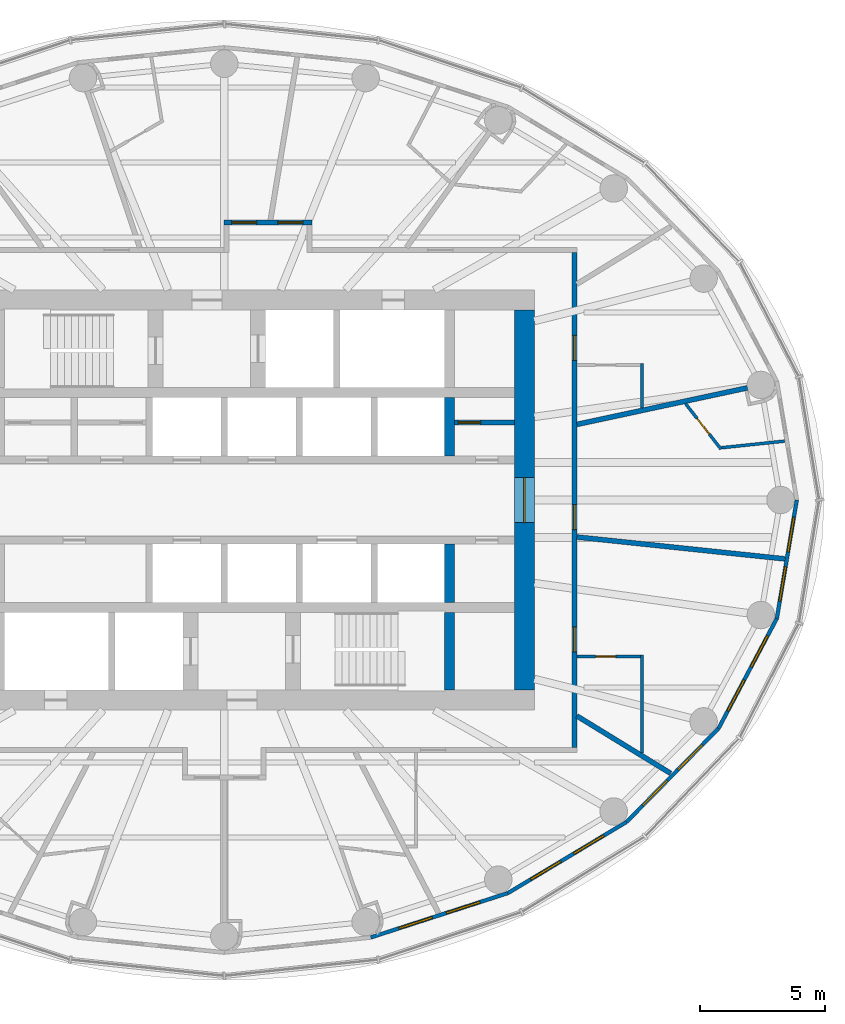
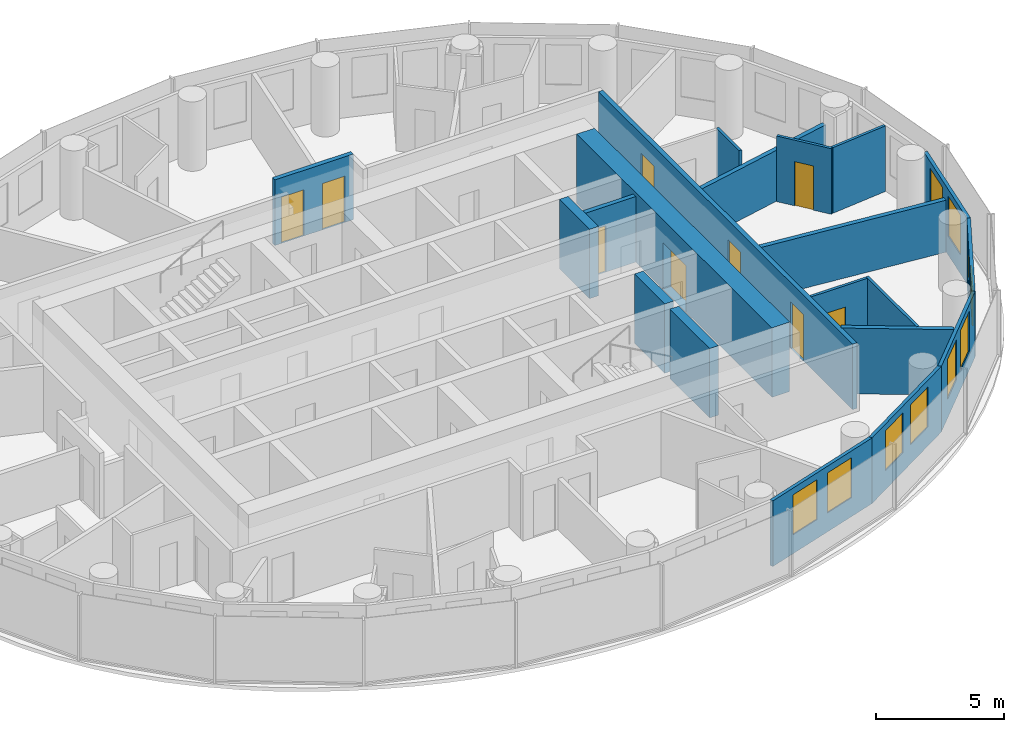
# One storey, part 10 of 13: 20 walls, 10 windows, 9 doors, 19 openings.
"""IFC4 building model written with IfcOpenShell, lengths in metres."""

from ifc_helpers import new_model, si_unit, direction, frame, frame_2d, origin, place, context, subcontext, project, spatial, rectangle, extrude, material, layer, layer_set, type_object, element, fill, save


model = new_model("IFC4")

# Units and contexts
model_context = context("Model", 3, precision=1e-05, world=origin(), true_north=direction((0.0, 1.0)))
body_context = subcontext(model_context, "Body", "Model", "MODEL_VIEW")
ifc_project = project(units=[si_unit("LENGTHUNIT", "METRE"), si_unit("AREAUNIT", "SQUARE_METRE"), si_unit("VOLUMEUNIT", "CUBIC_METRE"), si_unit("PLANEANGLEUNIT", "RADIAN"), si_unit("MASSUNIT", "GRAM", prefix="KILO")], contexts=[model_context])

# Site, building, storey
site_placement = place(None, origin())
site = spatial("IfcSite", under=ifc_project, at=site_placement, CompositionType="ELEMENT")
building_placement = place(site_placement, origin())
building = spatial("IfcBuilding", under=site, at=building_placement, Name="Hankou Lantern Tower", CompositionType="ELEMENT")
storey_placement = place(building_placement, frame((0.0, 0.0, 159.89990234375)))
storey = spatial("IfcBuildingStorey", under=building, at=storey_placement, Name="L42", CompositionType="ELEMENT", Elevation=159.89990234375)

# Wall, opening, door
ifc_material_1 = material(Name="Concrete C60", Category="concrete")
ifc_layer_1 = layer(ifc_material_1, 0.800048828125)
ifc_layer_set_1 = layer_set([ifc_layer_1], Name="Concrete C60")
wall_type_1 = type_object("IfcWallType", Name="CW2 CORE WALL 800", PredefinedType="SHEAR", material=ifc_layer_set_1)
wall_1_placement = place(storey_placement, frame((12.0, -7.60009765625, 0.0), z_axis=(0.0, 0.0, 1.0), x_axis=(0.0, 1.0, 0.0)))
wall_1 = element("IfcWall", 1, at=wall_1_placement, inside=storey, type_object=wall_type_1, Name="Core wall east L42", PredefinedType="SHEAR", context=body_context, shape_type="SweptSolid", body=[
    extrude(rectangle(XDim=15.2001953125, YDim=0.800048828125, at=frame_2d((7.60009765625, 0.0))), origin(), (0.0, 0.0, 1.0), 3.300048828125),
])
opening_1_placement = place(wall_1_placement, frame((6.699951171875, 0.0, 0.0)))
opening_1 = element("IfcOpeningElement", 2, at=opening_1_placement, cuts=wall_1, Name="Opening D6", PredefinedType="OPENING", context=body_context, shape_type="SweptSolid", body=[
    extrude(rectangle(XDim=1.800048828125, YDim=2.199951171875, at=frame_2d((0.89990234375, 1.10009765625))), frame((0.0, 0.409912109375, 0.0), z_axis=(0.0, -1.0, 0.0), x_axis=(1.0, 0.0, 0.0)), (0.0, 0.0, 1.0), 0.820068359375),
])
ifc_material_2 = material(Name="Steel door leaf", Category="steel")
door_type_1 = type_object("IfcDoorType", Name="D6 LIFT LOBBY DOOR 1800X2200", OperationType="DOUBLE_DOOR_DOUBLE_SWING", PredefinedType="DOOR", material=ifc_material_2)
door_1_placement = place(opening_1_placement, origin())
door_1 = element("IfcDoor", 3, at=door_1_placement, inside=storey, type_object=door_type_1, Name="Lift lobby east door", OperationType="DOUBLE_DOOR_DOUBLE_SWING", OverallHeight=2.199951171875, OverallWidth=1.800048828125, PredefinedType="DOOR", context=body_context, shape_type="SweptSolid", body=[
    extrude(rectangle(XDim=1.800048828125, YDim=2.199951171875, at=frame_2d((0.89990234375, 1.10009765625))), frame((0.0, 0.02490234375, 0.0), z_axis=(0.0, -1.0, 0.0), x_axis=(1.0, 0.0, 0.0)), (0.0, 0.0, 1.0), 0.050048828125),
])
fill(opening_1, door_1)

# Walls
ifc_material_3 = material(Name="Concrete C60", Category="concrete")
ifc_layer_2 = layer(ifc_material_3, 0.39990234375)
ifc_layer_set_2 = layer_set([ifc_layer_2], Name="Concrete C60")
wall_type_2 = type_object("IfcWallType", Name="CW4 CORE CROSS WALL 400", PredefinedType="SHEAR", material=ifc_layer_set_2)
for number, where, z_axis, x_axis, name in (
    (4, (9.0, 1.75, 0.0), (0.0, 0.0, 1.0), (0.0, 1.0, 0.0), "Core strip wall L42"),
    (5, (9.0, -4.10009765625, 0.0), (0.0, 0.0, 1.0), (0.0, 1.0, 0.0), "Core strip wall L42"),
):
    element("IfcWall", number, at=place(storey_placement, frame(where, z_axis=z_axis, x_axis=x_axis)), inside=storey, type_object=wall_type_2, Name=name, PredefinedType="SHEAR", context=body_context, shape_type="SweptSolid", body=[
        extrude(rectangle(XDim=2.35009765625, YDim=0.39990234375, at=frame_2d((1.175048828125, 0.0))), origin(), (0.0, 0.0, 1.0), 3.300048828125),
    ])
wall_2_placement = place(storey_placement, frame((9.0, -7.60009765625, 0.0), z_axis=(0.0, 0.0, 1.0), x_axis=(0.0, 1.0, 0.0)))
element("IfcWall", 6, at=wall_2_placement, inside=storey, type_object=wall_type_2, Name="Core strip wall L42", PredefinedType="SHEAR", context=body_context, shape_type="SweptSolid", body=[
    extrude(rectangle(XDim=3.10009765625, YDim=0.39990234375, at=frame_2d((1.550048828125, 0.0))), origin(), (0.0, 0.0, 1.0), 3.300048828125),
])

# Wall, openings, windows
ifc_material_4 = material(Name="Aluminium spandrel panel on steel studs", Category="steel")
ifc_layer_3 = layer(ifc_material_4, 0.14990234375)
ifc_layer_set_3 = layer_set([ifc_layer_3], Name="Aluminium spandrel panel on steel studs")
wall_type_3 = type_object("IfcWallType", Name="EW1 INNER SKIN WALL 150", PredefinedType="ELEMENTEDWALL", material=ifc_layer_set_3)
wall_3_placement = place(storey_placement, frame((5.8603515625, -17.497314453125, 0.0), z_axis=(0.0, 0.0, 1.0), x_axis=(0.951432482129, 0.307857486429, 0.0)))
wall_3 = element("IfcWall", 7, at=wall_3_placement, inside=storey, type_object=wall_type_3, Name="Inner skin R20-R21 L42", PredefinedType="ELEMENTEDWALL", context=body_context, shape_type="SweptSolid", body=[
    extrude(rectangle(XDim=5.76611328125, YDim=0.14990234375, at=frame_2d((2.883056640625, 0.0))), origin(), (0.0, 0.0, 1.0), 3.1201171875),
])
opening_2_placement = place(wall_3_placement, frame((1.18310546875, 0.0, 0.89990234375)))
opening_2 = element("IfcOpeningElement", 8, at=opening_2_placement, cuts=wall_3, Name="Opening W3", PredefinedType="OPENING", context=body_context, shape_type="SweptSolid", body=[
    extrude(rectangle(XDim=1.39990234375, YDim=1.89990234375, at=frame_2d((0.699951171875, 0.949951171875))), frame((0.0, 0.0849609375, 0.0), z_axis=(0.0, -1.0, 0.0), x_axis=(1.0, 0.0, 0.0)), (0.0, 0.0, 1.0), 0.169921875),
])
opening_3_placement = place(wall_3_placement, frame((3.18310546875, 0.0, 0.89990234375)))
opening_3 = element("IfcOpeningElement", 9, at=opening_3_placement, cuts=wall_3, Name="Opening W3", PredefinedType="OPENING", context=body_context, shape_type="SweptSolid", body=[
    extrude(rectangle(XDim=1.39990234375, YDim=1.89990234375, at=frame_2d((0.699951171875, 0.949951171875))), frame((0.0, 0.0849609375, 0.0), z_axis=(0.0, -1.0, 0.0), x_axis=(1.0, 0.0, 0.0)), (0.0, 0.0, 1.0), 0.169921875),
])
ifc_material_5 = material(Name="Aluminium framed double glazed window", Category="aluminium")
window_type = type_object("IfcWindowType", Name="W3 GUEST ROOM WINDOW 1400X1900", PartitioningType="DOUBLE_PANEL_VERTICAL", PredefinedType="WINDOW", material=ifc_material_5)
window_1_placement = place(opening_2_placement, origin())
window_1 = element("IfcWindow", 10, at=window_1_placement, inside=storey, type_object=window_type, Name="Window R20.1 L42", OverallHeight=1.89990234375, OverallWidth=1.39990234375, PartitioningType="SINGLE_PANEL", PredefinedType="WINDOW", context=body_context, shape_type="SweptSolid", body=[
    extrude(rectangle(XDim=1.39990234375, YDim=1.89990234375, at=frame_2d((0.699951171875, 0.949951171875))), frame((0.0, 0.030029296875, 0.0), z_axis=(0.0, -1.0, 0.0), x_axis=(1.0, 0.0, 0.0)), (0.0, 0.0, 1.0), 0.06005859375),
])
fill(opening_2, window_1)
window_2_placement = place(opening_3_placement, origin())
window_2 = element("IfcWindow", 11, at=window_2_placement, inside=storey, type_object=window_type, Name="Window R20.2 L42", OverallHeight=1.89990234375, OverallWidth=1.39990234375, PartitioningType="SINGLE_PANEL", PredefinedType="WINDOW", context=body_context, shape_type="SweptSolid", body=[
    extrude(rectangle(XDim=1.39990234375, YDim=1.89990234375, at=frame_2d((0.699951171875, 0.949951171875))), frame((0.0, 0.030029296875, 0.0), z_axis=(0.0, -1.0, 0.0), x_axis=(1.0, 0.0, 0.0)), (0.0, 0.0, 1.0), 0.06005859375),
])
fill(opening_3, window_2)

wall_4_placement = place(storey_placement, frame((11.346435546875, -15.72216796875, 0.0), z_axis=(0.0, 0.0, 1.0), x_axis=(0.857695199231, 0.514158482587, 0.0)))
wall_4 = element("IfcWall", 12, at=wall_4_placement, inside=storey, type_object=wall_type_3, Name="Inner skin R21-R22 L42", PredefinedType="ELEMENTEDWALL", context=body_context, shape_type="SweptSolid", body=[
    extrude(rectangle(XDim=5.5361328125, YDim=0.14990234375, at=frame_2d((2.76806640625, 0.0))), origin(), (0.0, 0.0, 1.0), 3.1201171875),
])
opening_4_placement = place(wall_4_placement, frame((1.068115234375, 0.0, 0.89990234375)))
opening_4 = element("IfcOpeningElement", 13, at=opening_4_placement, cuts=wall_4, Name="Opening W3", PredefinedType="OPENING", context=body_context, shape_type="SweptSolid", body=[
    extrude(rectangle(XDim=1.39990234375, YDim=1.89990234375, at=frame_2d((0.699951171875, 0.949951171875))), frame((0.0, 0.0849609375, 0.0), z_axis=(0.0, -1.0, 0.0), x_axis=(1.0, 0.0, 0.0)), (0.0, 0.0, 1.0), 0.169921875),
])
opening_5_placement = place(wall_4_placement, frame((3.068115234375, 0.0, 0.89990234375)))
opening_5 = element("IfcOpeningElement", 14, at=opening_5_placement, cuts=wall_4, Name="Opening W3", PredefinedType="OPENING", context=body_context, shape_type="SweptSolid", body=[
    extrude(rectangle(XDim=1.39990234375, YDim=1.89990234375, at=frame_2d((0.699951171875, 0.949951171875))), frame((0.0, 0.0849609375, 0.0), z_axis=(0.0, -1.0, 0.0), x_axis=(1.0, 0.0, 0.0)), (0.0, 0.0, 1.0), 0.169921875),
])
window_3_placement = place(opening_4_placement, origin())
window_3 = element("IfcWindow", 15, at=window_3_placement, inside=storey, type_object=window_type, Name="Window R21.1 L42", OverallHeight=1.89990234375, OverallWidth=1.39990234375, PartitioningType="SINGLE_PANEL", PredefinedType="WINDOW", context=body_context, shape_type="SweptSolid", body=[
    extrude(rectangle(XDim=1.39990234375, YDim=1.89990234375, at=frame_2d((0.699951171875, 0.949951171875))), frame((0.0, 0.030029296875, 0.0), z_axis=(0.0, -1.0, 0.0), x_axis=(1.0, 0.0, 0.0)), (0.0, 0.0, 1.0), 0.06005859375),
])
fill(opening_4, window_3)
window_4_placement = place(opening_5_placement, origin())
window_4 = element("IfcWindow", 16, at=window_4_placement, inside=storey, type_object=window_type, Name="Window R21.2 L42", OverallHeight=1.89990234375, OverallWidth=1.39990234375, PartitioningType="SINGLE_PANEL", PredefinedType="WINDOW", context=body_context, shape_type="SweptSolid", body=[
    extrude(rectangle(XDim=1.39990234375, YDim=1.89990234375, at=frame_2d((0.699951171875, 0.949951171875))), frame((0.0, 0.030029296875, 0.0), z_axis=(0.0, -1.0, 0.0), x_axis=(1.0, 0.0, 0.0)), (0.0, 0.0, 1.0), 0.06005859375),
])
fill(opening_5, window_4)

wall_5_placement = place(storey_placement, frame((16.0947265625, -12.875732421875, 0.0), z_axis=(0.0, 0.0, 1.0), x_axis=(0.700727467776, 0.71342905457, 0.0)))
wall_5 = element("IfcWall", 17, at=wall_5_placement, inside=storey, type_object=wall_type_3, Name="Inner skin R22-R23 L42", PredefinedType="ELEMENTEDWALL", context=body_context, shape_type="SweptSolid", body=[
    extrude(rectangle(XDim=5.247314453125, YDim=0.14990234375, at=frame_2d((2.62353515625, 0.0))), origin(), (0.0, 0.0, 1.0), 3.1201171875),
])
opening_6_placement = place(wall_5_placement, frame((0.923583984375, 0.0, 0.89990234375)))
opening_6 = element("IfcOpeningElement", 18, at=opening_6_placement, cuts=wall_5, Name="Opening W3", PredefinedType="OPENING", context=body_context, shape_type="SweptSolid", body=[
    extrude(rectangle(XDim=1.39990234375, YDim=1.89990234375, at=frame_2d((0.699951171875, 0.949951171875))), frame((0.0, 0.0849609375, 0.0), z_axis=(0.0, -1.0, 0.0), x_axis=(1.0, 0.0, 0.0)), (0.0, 0.0, 1.0), 0.169921875),
])
opening_7_placement = place(wall_5_placement, frame((2.923583984375, 0.0, 0.89990234375)))
opening_7 = element("IfcOpeningElement", 19, at=opening_7_placement, cuts=wall_5, Name="Opening W3", PredefinedType="OPENING", context=body_context, shape_type="SweptSolid", body=[
    extrude(rectangle(XDim=1.39990234375, YDim=1.89990234375, at=frame_2d((0.699951171875, 0.949951171875))), frame((0.0, 0.0849609375, 0.0), z_axis=(0.0, -1.0, 0.0), x_axis=(1.0, 0.0, 0.0)), (0.0, 0.0, 1.0), 0.169921875),
])
window_5_placement = place(opening_6_placement, origin())
window_5 = element("IfcWindow", 20, at=window_5_placement, inside=storey, type_object=window_type, Name="Window R22.1 L42", OverallHeight=1.89990234375, OverallWidth=1.39990234375, PartitioningType="SINGLE_PANEL", PredefinedType="WINDOW", context=body_context, shape_type="SweptSolid", body=[
    extrude(rectangle(XDim=1.39990234375, YDim=1.89990234375, at=frame_2d((0.699951171875, 0.949951171875))), frame((0.0, 0.030029296875, 0.0), z_axis=(0.0, -1.0, 0.0), x_axis=(1.0, 0.0, 0.0)), (0.0, 0.0, 1.0), 0.06005859375),
])
fill(opening_6, window_5)
window_6_placement = place(opening_7_placement, origin())
window_6 = element("IfcWindow", 21, at=window_6_placement, inside=storey, type_object=window_type, Name="Window R22.2 L42", OverallHeight=1.89990234375, OverallWidth=1.39990234375, PartitioningType="SINGLE_PANEL", PredefinedType="WINDOW", context=body_context, shape_type="SweptSolid", body=[
    extrude(rectangle(XDim=1.39990234375, YDim=1.89990234375, at=frame_2d((0.699951171875, 0.949951171875))), frame((0.0, 0.030029296875, 0.0), z_axis=(0.0, -1.0, 0.0), x_axis=(1.0, 0.0, 0.0)), (0.0, 0.0, 1.0), 0.06005859375),
])
fill(opening_7, window_6)

wall_6_placement = place(storey_placement, frame((19.771728515625, -9.132080078125, 0.0), z_axis=(0.0, 0.0, 1.0), x_axis=(0.468428906714, 0.883501193748, 0.0)))
wall_6 = element("IfcWall", 22, at=wall_6_placement, inside=storey, type_object=wall_type_3, Name="Inner skin R23-R24 L42", PredefinedType="ELEMENTEDWALL", context=body_context, shape_type="SweptSolid", body=[
    extrude(rectangle(XDim=4.9736328125, YDim=0.14990234375, at=frame_2d((2.48681640625, 0.0))), origin(), (0.0, 0.0, 1.0), 3.1201171875),
])
opening_8_placement = place(wall_6_placement, frame((0.786865234375, 0.0, 0.89990234375)))
opening_8 = element("IfcOpeningElement", 23, at=opening_8_placement, cuts=wall_6, Name="Opening W3", PredefinedType="OPENING", context=body_context, shape_type="SweptSolid", body=[
    extrude(rectangle(XDim=1.39990234375, YDim=1.89990234375, at=frame_2d((0.699951171875, 0.949951171875))), frame((0.0, 0.0849609375, 0.0), z_axis=(0.0, -1.0, 0.0), x_axis=(1.0, 0.0, 0.0)), (0.0, 0.0, 1.0), 0.169921875),
])
opening_9_placement = place(wall_6_placement, frame((2.786865234375, 0.0, 0.89990234375)))
opening_9 = element("IfcOpeningElement", 24, at=opening_9_placement, cuts=wall_6, Name="Opening W3", PredefinedType="OPENING", context=body_context, shape_type="SweptSolid", body=[
    extrude(rectangle(XDim=1.39990234375, YDim=1.89990234375, at=frame_2d((0.699951171875, 0.949951171875))), frame((0.0, 0.0849609375, 0.0), z_axis=(0.0, -1.0, 0.0), x_axis=(1.0, 0.0, 0.0)), (0.0, 0.0, 1.0), 0.169921875),
])
window_7_placement = place(opening_8_placement, origin())
window_7 = element("IfcWindow", 25, at=window_7_placement, inside=storey, type_object=window_type, Name="Window R23.1 L42", OverallHeight=1.89990234375, OverallWidth=1.39990234375, PartitioningType="SINGLE_PANEL", PredefinedType="WINDOW", context=body_context, shape_type="SweptSolid", body=[
    extrude(rectangle(XDim=1.39990234375, YDim=1.89990234375, at=frame_2d((0.699951171875, 0.949951171875))), frame((0.0, 0.030029296875, 0.0), z_axis=(0.0, -1.0, 0.0), x_axis=(1.0, 0.0, 0.0)), (0.0, 0.0, 1.0), 0.06005859375),
])
fill(opening_8, window_7)
window_8_placement = place(opening_9_placement, origin())
window_8 = element("IfcWindow", 26, at=window_8_placement, inside=storey, type_object=window_type, Name="Window R23.2 L42", OverallHeight=1.89990234375, OverallWidth=1.39990234375, PartitioningType="SINGLE_PANEL", PredefinedType="WINDOW", context=body_context, shape_type="SweptSolid", body=[
    extrude(rectangle(XDim=1.39990234375, YDim=1.89990234375, at=frame_2d((0.699951171875, 0.949951171875))), frame((0.0, 0.030029296875, 0.0), z_axis=(0.0, -1.0, 0.0), x_axis=(1.0, 0.0, 0.0)), (0.0, 0.0, 1.0), 0.06005859375),
])
fill(opening_9, window_8)

wall_7_placement = place(storey_placement, frame((22.1015625, -4.73779296875, 0.0), z_axis=(0.0, 0.0, 1.0), x_axis=(0.166162111254, 0.986098449843, 0.0)))
wall_7 = element("IfcWall", 27, at=wall_7_placement, inside=storey, type_object=wall_type_3, Name="Inner skin R24-R01 L42", PredefinedType="ELEMENTEDWALL", context=body_context, shape_type="SweptSolid", body=[
    extrude(rectangle(XDim=4.8046875, YDim=0.14990234375, at=frame_2d((2.40234375, 0.0))), origin(), (0.0, 0.0, 1.0), 3.1201171875),
])
opening_10_placement = place(wall_7_placement, frame((0.7021484375, 0.0, 0.89990234375)))
opening_10 = element("IfcOpeningElement", 28, at=opening_10_placement, cuts=wall_7, Name="Opening W3", PredefinedType="OPENING", context=body_context, shape_type="SweptSolid", body=[
    extrude(rectangle(XDim=1.39990234375, YDim=1.89990234375, at=frame_2d((0.699951171875, 0.949951171875))), frame((0.0, 0.0849609375, 0.0), z_axis=(0.0, -1.0, 0.0), x_axis=(1.0, 0.0, 0.0)), (0.0, 0.0, 1.0), 0.169921875),
])
opening_11_placement = place(wall_7_placement, frame((2.7021484375, 0.0, 0.89990234375)))
opening_11 = element("IfcOpeningElement", 29, at=opening_11_placement, cuts=wall_7, Name="Opening W3", PredefinedType="OPENING", context=body_context, shape_type="SweptSolid", body=[
    extrude(rectangle(XDim=1.39990234375, YDim=1.89990234375, at=frame_2d((0.699951171875, 0.949951171875))), frame((0.0, 0.0849609375, 0.0), z_axis=(0.0, -1.0, 0.0), x_axis=(1.0, 0.0, 0.0)), (0.0, 0.0, 1.0), 0.169921875),
])
window_9_placement = place(opening_10_placement, origin())
window_9 = element("IfcWindow", 30, at=window_9_placement, inside=storey, type_object=window_type, Name="Window R24.1 L42", OverallHeight=1.89990234375, OverallWidth=1.39990234375, PartitioningType="SINGLE_PANEL", PredefinedType="WINDOW", context=body_context, shape_type="SweptSolid", body=[
    extrude(rectangle(XDim=1.39990234375, YDim=1.89990234375, at=frame_2d((0.699951171875, 0.949951171875))), frame((0.0, 0.030029296875, 0.0), z_axis=(0.0, -1.0, 0.0), x_axis=(1.0, 0.0, 0.0)), (0.0, 0.0, 1.0), 0.06005859375),
])
fill(opening_10, window_9)
window_10_placement = place(opening_11_placement, origin())
window_10 = element("IfcWindow", 31, at=window_10_placement, inside=storey, type_object=window_type, Name="Window R24.2 L42", OverallHeight=1.89990234375, OverallWidth=1.39990234375, PartitioningType="SINGLE_PANEL", PredefinedType="WINDOW", context=body_context, shape_type="SweptSolid", body=[
    extrude(rectangle(XDim=1.39990234375, YDim=1.89990234375, at=frame_2d((0.699951171875, 0.949951171875))), frame((0.0, 0.030029296875, 0.0), z_axis=(0.0, -1.0, 0.0), x_axis=(1.0, 0.0, 0.0)), (0.0, 0.0, 1.0), 0.06005859375),
])
fill(opening_11, window_10)

# Walls
ifc_material_6 = material(Name="Masonry lightweight concrete block", Category="masonry")
ifc_layer_4 = layer(ifc_material_6, 0.199951171875)
ifc_layer_set_4 = layer_set([ifc_layer_4], Name="Masonry lightweight concrete block")
wall_type_4 = type_object("IfcWallType", Name="IW1 GUEST ROOM PARTY WALL 200", PredefinedType="PARTITIONING", material=ifc_layer_set_4)
wall_8_placement = place(storey_placement, frame((14.10009765625, 3.0224609375, 0.0), z_axis=(0.0, 0.0, 1.0), x_axis=(0.977790639684, 0.209584028367, 0.0)))
element("IfcWall", 32, at=wall_8_placement, inside=storey, type_object=wall_type_4, Name="Party wall R02", PredefinedType="PARTITIONING", context=body_context, shape_type="SweptSolid", body=[
    extrude(rectangle(XDim=6.97998046875, YDim=0.199951171875, at=frame_2d((3.489990234375, 0.0))), origin(), (0.0, 0.0, 1.0), 2.420166015625),
])
wall_9_placement = place(storey_placement, frame((14.10009765625, -8.63623046875, 0.0), z_axis=(0.0, 0.0, 1.0), x_axis=(0.852731884196, -0.522348862041, 0.0)))
element("IfcWall", 33, at=wall_9_placement, inside=storey, type_object=wall_type_4, Name="Party wall R22-R23", PredefinedType="PARTITIONING", context=body_context, shape_type="SweptSolid", body=[
    extrude(rectangle(XDim=4.404296875, YDim=0.199951171875, at=frame_2d((2.2021484375, 0.0))), origin(), (0.0, 0.0, 1.0), 3.1201171875),
])
wall_10_placement = place(storey_placement, frame((14.10009765625, -1.4814453125, 0.0), z_axis=(0.0, 0.0, 1.0), x_axis=(0.994524794819, -0.104500873159, 0.0)))
element("IfcWall", 34, at=wall_10_placement, inside=storey, type_object=wall_type_4, Name="Party wall R24-R01", PredefinedType="PARTITIONING", context=body_context, shape_type="SweptSolid", body=[
    extrude(rectangle(XDim=8.361572265625, YDim=0.199951171875, at=frame_2d((4.1806640625, 0.0))), origin(), (0.0, 0.0, 1.0), 2.47021484375),
])

# Wall, openings, doors
ifc_material_7 = material(Name="Masonry lightweight concrete block", Category="masonry")
ifc_layer_5 = layer(ifc_material_7, 0.199951171875)
ifc_layer_set_5 = layer_set([ifc_layer_5], Name="Masonry lightweight concrete block")
wall_type_5 = type_object("IfcWallType", Name="IW2 CORRIDOR WALL 200", PredefinedType="PARTITIONING", material=ifc_layer_set_5)
wall_11_placement = place(storey_placement, frame((14.0, -9.89990234375, 0.0), z_axis=(0.0, 0.0, 1.0), x_axis=(0.0, 1.0, 0.0)))
wall_11 = element("IfcWall", 35, at=wall_11_placement, inside=storey, type_object=wall_type_5, Name="Corridor wall east", PredefinedType="PARTITIONING", context=body_context, shape_type="SweptSolid", body=[
    extrude(rectangle(XDim=19.7998046875, YDim=0.199951171875, at=frame_2d((9.89990234375, 0.0))), origin(), (0.0, 0.0, 1.0), 3.1201171875),
])
opening_12_placement = place(wall_11_placement, frame((3.82373046875, 0.0, 0.0)))
opening_12 = element("IfcOpeningElement", 36, at=opening_12_placement, cuts=wall_11, Name="Opening D2", PredefinedType="OPENING", context=body_context, shape_type="SweptSolid", body=[
    extrude(rectangle(XDim=1.0, YDim=2.199951171875, at=frame_2d((0.5, 1.10009765625))), frame((0.0, 0.10986328125, 0.0), z_axis=(0.0, -1.0, 0.0), x_axis=(1.0, 0.0, 0.0)), (0.0, 0.0, 1.0), 0.219970703125),
])
opening_13_placement = place(wall_11_placement, frame((8.718505859375, 0.0, 0.0)))
opening_13 = element("IfcOpeningElement", 37, at=opening_13_placement, cuts=wall_11, Name="Opening D1", PredefinedType="OPENING", context=body_context, shape_type="SweptSolid", body=[
    extrude(rectangle(XDim=1.0, YDim=2.199951171875, at=frame_2d((0.5, 1.10009765625))), frame((0.0, 0.10986328125, 0.0), z_axis=(0.0, -1.0, 0.0), x_axis=(1.0, 0.0, 0.0)), (0.0, 0.0, 1.0), 0.219970703125),
])
opening_14_placement = place(wall_11_placement, frame((15.482421875, 0.0, 0.0)))
opening_14 = element("IfcOpeningElement", 38, at=opening_14_placement, cuts=wall_11, Name="Opening D1", PredefinedType="OPENING", context=body_context, shape_type="SweptSolid", body=[
    extrude(rectangle(XDim=1.0, YDim=2.199951171875, at=frame_2d((0.5, 1.10009765625))), frame((0.0, 0.10986328125, 0.0), z_axis=(0.0, -1.0, 0.0), x_axis=(1.0, 0.0, 0.0)), (0.0, 0.0, 1.0), 0.219970703125),
])
ifc_material_8 = material(Name="Steel door leaf", Category="steel")
door_type_2 = type_object("IfcDoorType", Name="D1 GUEST ROOM DOOR 1000X2200", OperationType="SINGLE_SWING_LEFT", PredefinedType="DOOR", material=ifc_material_8)
door_2_placement = place(opening_13_placement, origin())
door_2 = element("IfcDoor", 39, at=door_2_placement, inside=storey, type_object=door_type_2, Name="Guest room door 4211", OperationType="SINGLE_SWING_LEFT", OverallHeight=2.199951171875, OverallWidth=1.0, PredefinedType="DOOR", context=body_context, shape_type="SweptSolid", body=[
    extrude(rectangle(XDim=1.0, YDim=2.199951171875, at=frame_2d((0.5, 1.10009765625))), frame((0.0, 0.02490234375, 0.0), z_axis=(0.0, -1.0, 0.0), x_axis=(1.0, 0.0, 0.0)), (0.0, 0.0, 1.0), 0.050048828125),
])
fill(opening_13, door_2)
door_3_placement = place(opening_14_placement, origin())
door_3 = element("IfcDoor", 40, at=door_3_placement, inside=storey, type_object=door_type_2, Name="Guest room door 4212", OperationType="SINGLE_SWING_RIGHT", OverallHeight=2.199951171875, OverallWidth=1.0, PredefinedType="DOOR", context=body_context, shape_type="SweptSolid", body=[
    extrude(rectangle(XDim=1.0, YDim=2.199951171875, at=frame_2d((0.5, 1.10009765625))), frame((0.0, 0.02490234375, 0.0), z_axis=(0.0, -1.0, 0.0), x_axis=(1.0, 0.0, 0.0)), (0.0, 0.0, 1.0), 0.050048828125),
])
fill(opening_14, door_3)
ifc_material_9 = material(Name="Steel door leaf", Category="steel")
door_type_3 = type_object("IfcDoorType", Name="D2 SUITE DOOR 1000X2200", OperationType="SINGLE_SWING_LEFT", PredefinedType="DOOR", material=ifc_material_9)
door_4_placement = place(opening_12_placement, origin())
door_4 = element("IfcDoor", 41, at=door_4_placement, inside=storey, type_object=door_type_3, Name="Suite door 4210", OperationType="SINGLE_SWING_LEFT", OverallHeight=2.199951171875, OverallWidth=1.0, PredefinedType="DOOR", context=body_context, shape_type="SweptSolid", body=[
    extrude(rectangle(XDim=1.0, YDim=2.199951171875, at=frame_2d((0.5, 1.10009765625))), frame((0.0, 0.02490234375, 0.0), z_axis=(0.0, -1.0, 0.0), x_axis=(1.0, 0.0, 0.0)), (0.0, 0.0, 1.0), 0.050048828125),
])
fill(opening_12, door_4)

wall_12_placement = place(storey_placement, frame((-0.005859375, 11.10009765625, 0.0), z_axis=(0.0, 0.0, 1.0), x_axis=(1.0, 0.0, 0.0)))
wall_12 = element("IfcWall", 42, at=wall_12_placement, inside=storey, type_object=wall_type_5, Name="Corridor alcove wall 4214-4215 back", PredefinedType="PARTITIONING", context=body_context, shape_type="SweptSolid", body=[
    extrude(rectangle(XDim=3.52392578125, YDim=0.199951171875, at=frame_2d((1.761962890625, 0.0))), origin(), (0.0, 0.0, 1.0), 3.1201171875),
])
opening_15_placement = place(wall_12_placement, frame((2.14501953125, 0.0, 0.0)))
opening_15 = element("IfcOpeningElement", 43, at=opening_15_placement, cuts=wall_12, Name="Opening D1", PredefinedType="OPENING", context=body_context, shape_type="SweptSolid", body=[
    extrude(rectangle(XDim=1.0, YDim=2.199951171875, at=frame_2d((0.5, 1.10009765625))), frame((0.0, 0.10986328125, 0.0), z_axis=(0.0, -1.0, 0.0), x_axis=(1.0, 0.0, 0.0)), (0.0, 0.0, 1.0), 0.219970703125),
])
opening_16_placement = place(wall_12_placement, frame((0.300048828125, 0.0, 0.0)))
opening_16 = element("IfcOpeningElement", 44, at=opening_16_placement, cuts=wall_12, Name="Opening D1", PredefinedType="OPENING", context=body_context, shape_type="SweptSolid", body=[
    extrude(rectangle(XDim=1.0, YDim=2.199951171875, at=frame_2d((0.5, 1.10009765625))), frame((0.0, 0.10986328125, 0.0), z_axis=(0.0, -1.0, 0.0), x_axis=(1.0, 0.0, 0.0)), (0.0, 0.0, 1.0), 0.219970703125),
])
door_5_placement = place(opening_15_placement, origin())
door_5 = element("IfcDoor", 45, at=door_5_placement, inside=storey, type_object=door_type_2, Name="Guest room door 4214", OperationType="SINGLE_SWING_LEFT", OverallHeight=2.199951171875, OverallWidth=1.0, PredefinedType="DOOR", context=body_context, shape_type="SweptSolid", body=[
    extrude(rectangle(XDim=1.0, YDim=2.199951171875, at=frame_2d((0.5, 1.10009765625))), frame((0.0, 0.02490234375, 0.0), z_axis=(0.0, -1.0, 0.0), x_axis=(1.0, 0.0, 0.0)), (0.0, 0.0, 1.0), 0.050048828125),
])
fill(opening_15, door_5)
door_6_placement = place(opening_16_placement, origin())
door_6 = element("IfcDoor", 46, at=door_6_placement, inside=storey, type_object=door_type_2, Name="Guest room door 4215", OperationType="SINGLE_SWING_RIGHT", OverallHeight=2.199951171875, OverallWidth=1.0, PredefinedType="DOOR", context=body_context, shape_type="SweptSolid", body=[
    extrude(rectangle(XDim=1.0, YDim=2.199951171875, at=frame_2d((0.5, 1.10009765625))), frame((0.0, 0.02490234375, 0.0), z_axis=(0.0, -1.0, 0.0), x_axis=(1.0, 0.0, 0.0)), (0.0, 0.0, 1.0), 0.050048828125),
])
fill(opening_16, door_6)

# Wall
ifc_material_10 = material(Name="Masonry lightweight concrete block", Category="masonry")
ifc_layer_6 = layer(ifc_material_10, 0.1201171875)
ifc_layer_set_6 = layer_set([ifc_layer_6], Name="Masonry lightweight concrete block")
wall_type_6 = type_object("IfcWallType", Name="IW3 BATHROOM WALL 120", PredefinedType="PARTITIONING", material=ifc_layer_set_6)
wall_13_placement = place(storey_placement, frame((16.699951171875, -10.12890625, 0.0), z_axis=(0.0, 0.0, 1.0), x_axis=(0.0, 1.0, 0.0)))
element("IfcWall", 47, at=wall_13_placement, inside=storey, type_object=wall_type_6, Name="Box wall 4210 1", PredefinedType="PARTITIONING", context=body_context, shape_type="SweptSolid", body=[
    extrude(rectangle(XDim=3.9326171875, YDim=0.1201171875, at=frame_2d((1.96630859375, 0.0))), origin(), (0.0, 0.0, 1.0), 3.1201171875),
])

# Wall, opening, door
wall_14_placement = place(storey_placement, frame((14.10009765625, -6.25634765625, 0.0), z_axis=(0.0, 0.0, 1.0), x_axis=(1.0, 0.0, 0.0)))
wall_14 = element("IfcWall", 48, at=wall_14_placement, inside=storey, type_object=wall_type_6, Name="Box wall 4210 1", PredefinedType="PARTITIONING", context=body_context, shape_type="SweptSolid", body=[
    extrude(rectangle(XDim=2.539794921875, YDim=0.1201171875, at=frame_2d((1.27001953125, 0.0))), origin(), (0.0, 0.0, 1.0), 3.1201171875),
])
opening_17_placement = place(wall_14_placement, frame((0.75, 0.0, 0.0)))
opening_17 = element("IfcOpeningElement", 49, at=opening_17_placement, cuts=wall_14, Name="Opening D3", PredefinedType="OPENING", context=body_context, shape_type="SweptSolid", body=[
    extrude(rectangle(XDim=0.800048828125, YDim=2.10009765625, at=frame_2d((0.39990234375, 1.050048828125))), frame((0.0, 0.070068359375, 0.0), z_axis=(0.0, -1.0, 0.0), x_axis=(1.0, 0.0, 0.0)), (0.0, 0.0, 1.0), 0.14013671875),
])
ifc_material_11 = material(Name="Timber door leaf", Category="wood")
door_type_4 = type_object("IfcDoorType", Name="D3 BATHROOM DOOR 800X2100", OperationType="SINGLE_SWING_LEFT", PredefinedType="DOOR", material=ifc_material_11)
door_7_placement = place(opening_17_placement, origin())
door_7 = element("IfcDoor", 50, at=door_7_placement, inside=storey, type_object=door_type_4, Name="Junior suite 4210 bathroom door", OperationType="SINGLE_SWING_LEFT", OverallHeight=2.10009765625, OverallWidth=0.800048828125, PredefinedType="DOOR", context=body_context, shape_type="SweptSolid", body=[
    extrude(rectangle(XDim=0.800048828125, YDim=2.10009765625, at=frame_2d((0.39990234375, 1.050048828125))), frame((0.0, 0.02490234375, 0.0), z_axis=(0.0, -1.0, 0.0), x_axis=(1.0, 0.0, 0.0)), (0.0, 0.0, 1.0), 0.050048828125),
])
fill(opening_17, door_7)

wall_15_placement = place(storey_placement, frame((18.450927734375, 3.852783203125, 0.0), z_axis=(0.0, 0.0, 1.0), x_axis=(0.614703538382, -0.788758239197, 0.0)))
wall_15 = element("IfcWall", 51, at=wall_15_placement, inside=storey, type_object=wall_type_6, Name="Box wall 4211 1", PredefinedType="PARTITIONING", context=body_context, shape_type="SweptSolid", body=[
    extrude(rectangle(XDim=2.30322265625, YDim=0.1201171875, at=frame_2d((1.151611328125, 0.0))), origin(), (0.0, 0.0, 1.0), 3.1201171875),
])
opening_18_placement = place(wall_15_placement, frame((0.751708984375, 0.0, 0.0)))
opening_18 = element("IfcOpeningElement", 52, at=opening_18_placement, cuts=wall_15, Name="Opening D3", PredefinedType="OPENING", context=body_context, shape_type="SweptSolid", body=[
    extrude(rectangle(XDim=0.800048828125, YDim=2.10009765625, at=frame_2d((0.39990234375, 1.050048828125))), frame((0.0, 0.070068359375, 0.0), z_axis=(0.0, -1.0, 0.0), x_axis=(1.0, 0.0, 0.0)), (0.0, 0.0, 1.0), 0.14013671875),
])
door_8_placement = place(opening_18_placement, origin())
door_8 = element("IfcDoor", 53, at=door_8_placement, inside=storey, type_object=door_type_4, Name="En-suite bathroom 4211 door", OperationType="SINGLE_SWING_LEFT", OverallHeight=2.10009765625, OverallWidth=0.800048828125, PredefinedType="DOOR", context=body_context, shape_type="SweptSolid", body=[
    extrude(rectangle(XDim=0.800048828125, YDim=2.10009765625, at=frame_2d((0.39990234375, 1.050048828125))), frame((0.0, 0.02490234375, 0.0), z_axis=(0.0, -1.0, 0.0), x_axis=(1.0, 0.0, 0.0)), (0.0, 0.0, 1.0), 0.050048828125),
])
fill(opening_18, door_8)

# Walls
wall_16_placement = place(storey_placement, frame((19.8896484375, 2.08984375, 0.0), z_axis=(0.0, 0.0, 1.0), x_axis=(0.994527025269, 0.104479644, 0.0)))
element("IfcWall", 54, at=wall_16_placement, inside=storey, type_object=wall_type_6, Name="Box wall 4211 2", PredefinedType="PARTITIONING", context=body_context, shape_type="SweptSolid", body=[
    extrude(rectangle(XDim=2.5400390625, YDim=0.1201171875, at=frame_2d((1.27001953125, 0.0))), origin(), (0.0, 0.0, 1.0), 3.1201171875),
])
wall_17_placement = place(storey_placement, frame((16.699951171875, 3.6796875, 0.0), z_axis=(0.0, 0.0, 1.0), x_axis=(0.0, 1.0, 0.0)))
element("IfcWall", 55, at=wall_17_placement, inside=storey, type_object=wall_type_6, Name="Box wall 4212 1", PredefinedType="PARTITIONING", context=body_context, shape_type="SweptSolid", body=[
    extrude(rectangle(XDim=1.78271484375, YDim=0.1201171875, at=frame_2d((0.891357421875, 0.0))), origin(), (0.0, 0.0, 1.0), 3.1201171875),
])

# Wall, opening, door
ifc_material_12 = material(Name="Masonry lightweight concrete block", Category="masonry")
ifc_layer_7 = layer(ifc_material_12, 0.199951171875)
ifc_layer_set_7 = layer_set([ifc_layer_7], Name="Masonry lightweight concrete block")
wall_type_7 = type_object("IfcWallType", Name="IW8 PARTITION 200", PredefinedType="PARTITIONING", material=ifc_layer_set_7)
wall_18_placement = place(storey_placement, frame((9.199951171875, 3.10009765625, 0.0), z_axis=(0.0, 0.0, 1.0), x_axis=(1.0, 0.0, 0.0)))
wall_18 = element("IfcWall", 56, at=wall_18_placement, inside=storey, type_object=wall_type_7, Name="Partition cleaner's store", PredefinedType="PARTITIONING", context=body_context, shape_type="SweptSolid", body=[
    extrude(rectangle(XDim=2.400146484375, YDim=0.199951171875, at=frame_2d((1.2001953125, 0.0))), origin(), (0.0, 0.0, 1.0), 3.1201171875),
])
opening_19_placement = place(wall_18_placement, frame((0.14990234375, 0.0, 0.0)))
opening_19 = element("IfcOpeningElement", 57, at=opening_19_placement, cuts=wall_18, Name="Opening D12", PredefinedType="OPENING", context=body_context, shape_type="SweptSolid", body=[
    extrude(rectangle(XDim=0.89990234375, YDim=2.199951171875, at=frame_2d((0.449951171875, 1.10009765625))), frame((0.0, 0.10986328125, 0.0), z_axis=(0.0, -1.0, 0.0), x_axis=(1.0, 0.0, 0.0)), (0.0, 0.0, 1.0), 0.219970703125),
])
ifc_material_13 = material(Name="Steel door leaf", Category="steel")
door_type_5 = type_object("IfcDoorType", Name="D12 STORE DOOR 900X2200", OperationType="SINGLE_SWING_LEFT", PredefinedType="DOOR", material=ifc_material_13)
door_9_placement = place(opening_19_placement, origin())
door_9 = element("IfcDoor", 58, at=door_9_placement, inside=storey, type_object=door_type_5, Name="Cleaning materials cupboard door", OperationType="SINGLE_SWING_LEFT", OverallHeight=2.199951171875, OverallWidth=0.89990234375, PredefinedType="DOOR", context=body_context, shape_type="SweptSolid", body=[
    extrude(rectangle(XDim=0.89990234375, YDim=2.199951171875, at=frame_2d((0.449951171875, 1.10009765625))), frame((0.0, 0.02490234375, 0.0), z_axis=(0.0, -1.0, 0.0), x_axis=(1.0, 0.0, 0.0)), (0.0, 0.0, 1.0), 0.050048828125),
])
fill(opening_19, door_9)

save(model, "model.ifc")
